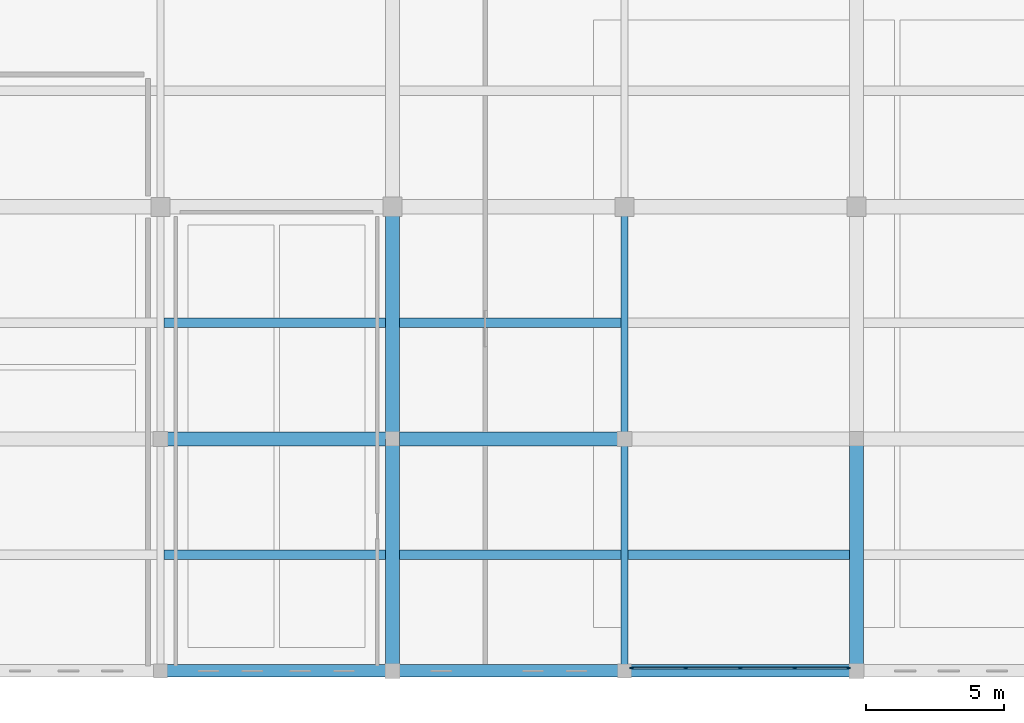
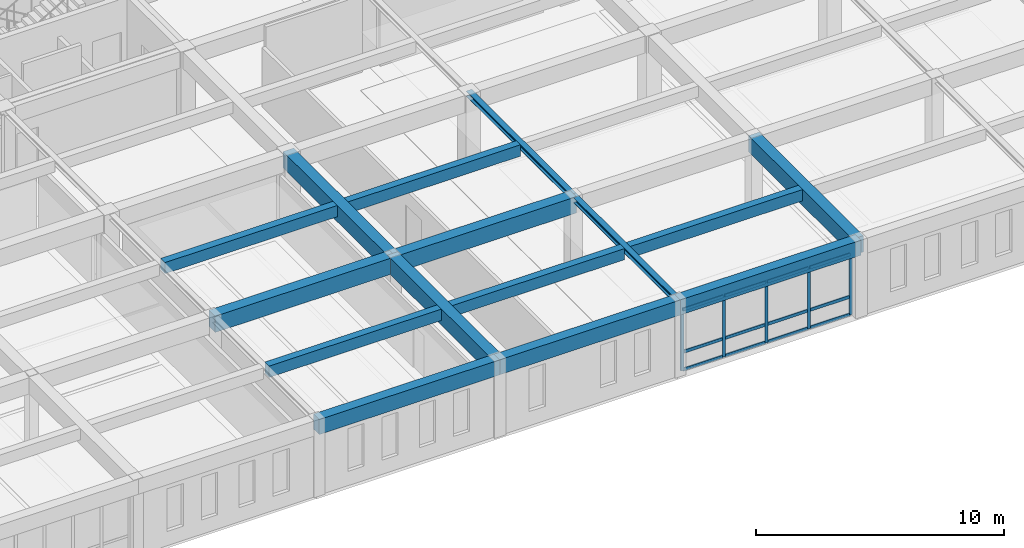
# One storey, part 44 of 110: 17 members, 15 beams, 1 element without a shape of its own.
"""IFC4 building model written with IfcOpenShell, lengths in metres."""

import ifcopenshell
import ifcopenshell.guid

model = None  # the IFC model being written
_history = None  # IfcOwnerHistory: only IFC2X3 demands one
_inside = {}  # id of a spatial element -> (the spatial element, [elements in it])
_under = {}  # id of a project, library or spatial element -> (it, [spatial elements below it])
_declared = {}  # id of a project -> (the project, [libraries it declares])
_typed = {}  # id of a type object -> (the type object, [elements of that type])
_made_of = {}  # id of a material, layer set ... -> (it, [elements and type objects made of it])


def new_model(schema):
    """Start an empty IFC model of exactly this schema.

    Asked for "IFC4X3", IfcOpenShell would pick the latest addendum, in which some entities
    have other attributes; the version numbers below select the first issue.
    IFC2X3 requires an IfcOwnerHistory on every rooted entity: one is made here for all.
    """
    global model, _history
    if schema == "IFC4X3":
        model = ifcopenshell.file(schema_version=(4, 3, 0, 0))
    else:
        model = ifcopenshell.file(schema=schema)
    _inside.clear()
    _under.clear()
    _declared.clear()
    _typed.clear()
    _made_of.clear()
    _history = None
    if model.schema == "IFC2X3":
        org = make("IfcOrganization", Name="unknown")
        user = make(
            "IfcPersonAndOrganization",
            ThePerson=make("IfcPerson", FamilyName="unknown"),
            TheOrganization=org,
        )
        app = make(
            "IfcApplication",
            ApplicationDeveloper=org,
            Version="unknown",
            ApplicationFullName="unknown",
            ApplicationIdentifier="unknown",
        )
        _history = make(
            "IfcOwnerHistory",
            OwningUser=user,
            OwningApplication=app,
            ChangeAction="ADDED",
            CreationDate=0,
        )
    return model


def make(cls, **values):
    """One entity of the class cls with the attributes given. An attribute that is None is left unset."""
    return model.create_entity(
        cls, **{name: value for name, value in values.items() if value is not None}
    )


def rooted(cls, **values):
    """An entity with a GlobalId (a new one), such as an element, a storey or a relation."""
    return make(cls, GlobalId=ifcopenshell.guid.new(), OwnerHistory=_history, **values)


def si_unit(unit_type, name, prefix=None):
    """IfcSIUnit, for example si_unit("LENGTHUNIT", "METRE", prefix="MILLI")."""
    return make("IfcSIUnit", UnitType=unit_type, Prefix=prefix, Name=name)


def assignment(units):
    """IfcUnitAssignment: the units of a project."""
    return None if units is None else make("IfcUnitAssignment", Units=units)


def point(xyz):
    """IfcCartesianPoint."""
    return None if xyz is None else make("IfcCartesianPoint", Coordinates=xyz)


def direction(xyz):
    """IfcDirection."""
    return None if xyz is None else make("IfcDirection", DirectionRatios=xyz)


def frame(location, z_axis=None, x_axis=None):
    """IfcAxis2Placement3D, a coordinate frame: its origin and axes. An axis left out is left unset."""
    return make(
        "IfcAxis2Placement3D",
        Location=point(location),
        Axis=direction(z_axis),
        RefDirection=direction(x_axis),
    )


def frame_2d(location, x_axis=None):
    """IfcAxis2Placement2D, a coordinate frame in the plane: its origin and x axis."""
    return make(
        "IfcAxis2Placement2D", Location=point(location), RefDirection=direction(x_axis)
    )


def origin():
    """The frame at (0, 0, 0) with its axes left unset."""
    return frame((0.0, 0.0, 0.0))


def origin_2d():
    """The frame at (0, 0) in the plane with its x axis left unset."""
    return frame_2d((0.0, 0.0))


def place(relative_to, where):
    """IfcLocalPlacement: puts the frame where relative to a parent placement (None: the world)."""
    return make(
        "IfcLocalPlacement", PlacementRelTo=relative_to, RelativePlacement=where
    )


def context(
    kind, dimensions, precision=None, world=None, true_north=None, identifier=None
):
    """IfcGeometricRepresentationContext, for example the 3D "Model" context."""
    return make(
        "IfcGeometricRepresentationContext",
        ContextIdentifier=identifier,
        ContextType=kind,
        CoordinateSpaceDimension=dimensions,
        Precision=precision,
        WorldCoordinateSystem=world,
        TrueNorth=true_north,
    )


def subcontext(parent, identifier, kind, view, scale=None):
    """IfcGeometricRepresentationSubContext, for example "Body" below "Model"."""
    return make(
        "IfcGeometricRepresentationSubContext",
        ContextIdentifier=identifier,
        ContextType=kind,
        ParentContext=parent,
        TargetScale=scale,
        TargetView=view,
    )


def project(units=None, contexts=None):
    """IfcProject with its units and contexts."""
    return rooted(
        "IfcProject",
        Name="project",
        RepresentationContexts=contexts,
        UnitsInContext=assignment(units),
    )


def spatial(cls, under=None, at=None, **own):
    """A site, building, storey or space (cls), placed at a placement, below another one or the project."""
    s = rooted(cls, ObjectPlacement=at, **own)
    if under is not None:
        _under.setdefault(under.id(), (under, []))[1].append(s)
    return s


def profile(cls, at=None, kind="AREA", **sizes):
    """A parametric profile (cls). Its sizes go by their IFC names, for example OverallWidth=200.0."""
    return make(cls, ProfileType=kind, Position=at, **sizes)


def rectangle(**sizes):
    """IfcRectangleProfileDef."""
    return profile("IfcRectangleProfileDef", **sizes)


def i_section(**sizes):
    """IfcIShapeProfileDef."""
    return profile("IfcIShapeProfileDef", **sizes)


def extrude(swept, where, along, depth):
    """IfcExtrudedAreaSolid: the profile swept, set in the frame where, extruded along a direction by depth."""
    return make(
        "IfcExtrudedAreaSolid",
        SweptArea=swept,
        Position=where,
        ExtrudedDirection=direction(along),
        Depth=depth,
    )


def shape(context_of_items, identifier, shape_type, items):
    """IfcShapeRepresentation: the items that make up one representation, for example the "Body"."""
    return make(
        "IfcShapeRepresentation",
        ContextOfItems=context_of_items,
        RepresentationIdentifier=identifier,
        RepresentationType=shape_type,
        Items=items,
    )


def material(Name=None, Category=None):
    """IfcMaterial."""
    return make("IfcMaterial", Name=Name, Category=Category)


def layer(
    of_material, thickness, ventilated=None, Name=None, Category=None, Priority=None
):
    """IfcMaterialLayer: one layer of a wall or slab, of a material (None: an air gap)."""
    return make(
        "IfcMaterialLayer",
        Material=of_material,
        LayerThickness=thickness,
        IsVentilated=ventilated,
        Name=Name,
        Category=Category,
        Priority=Priority,
    )


def layer_set(layers, Name=None):
    """IfcMaterialLayerSet."""
    return make("IfcMaterialLayerSet", MaterialLayers=layers, LayerSetName=Name)


def material_profile(
    of_material, cross_section, Name=None, Category=None, Priority=None
):
    """IfcMaterialProfile: a cross section and its material."""
    return make(
        "IfcMaterialProfile",
        Name=Name,
        Material=of_material,
        Profile=cross_section,
        Priority=Priority,
        Category=Category,
    )


def profile_set(profiles, Name=None, composite=None):
    """IfcMaterialProfileSet."""
    return make(
        "IfcMaterialProfileSet",
        Name=Name,
        MaterialProfiles=profiles,
        CompositeProfile=composite,
    )


def made_of(thing, what):
    """Note that an element or type object is made of a material, layer set ...; save() writes the relation."""
    if what is not None:
        _made_of.setdefault(what.id(), (what, []))[1].append(thing)
    return thing


def type_object(cls, material=None, **own):
    """A type object (cls), such as IfcWallType, which elements share."""
    return made_of(rooted(cls, **own), material)


def element(
    cls,
    number,
    at=None,
    inside=None,
    cuts=None,
    type_object=None,
    material=None,
    context=None,
    identifier="Body",
    shape_type=None,
    held_by="IfcProductDefinitionShape",
    body=None,
    shapes=None,
    **own,
):
    """One element of the class cls, such as IfcWall. Its Tag is "e" and its number.

    at: its placement. inside: the storey or other place that contains it. cuts: it is an
    opening in that element (IfcRelVoidsElement). A single representation is given by context,
    identifier, shape_type and body (its items); several are given by shapes. held_by: the class
    of the entity that holds the representations. save() writes the other relations.
    """
    e = rooted(cls, Tag="e%d" % number, ObjectPlacement=at, **own)
    if body is not None:
        shapes = [shape(context, identifier, shape_type, body)]
    if shapes is not None:
        e.Representation = make(held_by, Representations=shapes)
    if inside is not None:
        _inside.setdefault(inside.id(), (inside, []))[1].append(e)
    if cuts is not None:
        rooted(
            "IfcRelVoidsElement", RelatingBuildingElement=cuts, RelatedOpeningElement=e
        )
    if type_object is not None:
        _typed.setdefault(type_object.id(), (type_object, []))[1].append(e)
    return made_of(e, material)


def aggregate(whole, parts):
    """IfcRelAggregates: a whole, such as a stair, and the parts it consists of."""
    return rooted("IfcRelAggregates", RelatingObject=whole, RelatedObjects=parts)


def save(model, path):
    """Write the relations noted so far, then the file.

    IfcRelAggregates (storeys below a building ...), IfcRelContainedInSpatialStructure (elements
    in a storey), IfcRelDefinesByType, IfcRelAssociatesMaterial and IfcRelDeclares: one each for
    every whole, place, type object, material and project.
    """
    for whole, parts in _under.values():
        aggregate(whole, parts)
    for where, things in _inside.values():
        rooted(
            "IfcRelContainedInSpatialStructure",
            RelatedElements=things,
            RelatingStructure=where,
        )
    for kind, things in _typed.values():
        rooted("IfcRelDefinesByType", RelatedObjects=things, RelatingType=kind)
    for what, things in _made_of.values():
        rooted("IfcRelAssociatesMaterial", RelatedObjects=things, RelatingMaterial=what)
    for by, libraries in _declared.values():
        rooted("IfcRelDeclares", RelatingContext=by, RelatedDefinitions=libraries)
    model.write(path)


model = new_model("IFC4")

# Units and contexts
model_context = context("Model", 3, precision=1e-05, world=origin(), true_north=direction((0.0, 1.0)))
body_context = subcontext(model_context, "Body", "Model", "MODEL_VIEW")
ifc_project = project(units=[si_unit("LENGTHUNIT", "METRE"), si_unit("AREAUNIT", "SQUARE_METRE"), si_unit("VOLUMEUNIT", "CUBIC_METRE"), si_unit("PLANEANGLEUNIT", "RADIAN"), si_unit("MASSUNIT", "GRAM", prefix="KILO")], contexts=[model_context])

# Site, building, storey
site_placement = place(None, origin())
site = spatial("IfcSite", under=ifc_project, at=site_placement, CompositionType="ELEMENT")
building_placement = place(site_placement, origin())
building = spatial("IfcBuilding", under=site, at=building_placement, Name="Kveldsbrygga Polytechnic", CompositionType="ELEMENT")
storey_placement = place(building_placement, frame((0.0, 0.0, 9.860107421875)))
storey = spatial("IfcBuildingStorey", under=building, at=storey_placement, Name="L02", CompositionType="ELEMENT", Elevation=9.860107421875)

# Beams
ifc_material_1 = material(Name="Concrete C35/45", Category="concrete")
ifc_material_profile_1 = material_profile(ifc_material_1, rectangle(XDim=0.4599609375, YDim=0.739990234375, at=origin_2d()), Name="RC 460x740")
ifc_profile_set_1 = profile_set([ifc_material_profile_1], Name="Concrete C35/45")
beam_type_1 = type_object("IfcBeamType", Name="BM-RC-460x740", PredefinedType="BEAM", material=ifc_profile_set_1)
beam_1_placement = place(storey_placement, frame((126.0, 0.0, 3.3798828125), z_axis=(1.0, 0.0, 0.0), x_axis=(0.0, 1.0, 0.0)))
element("IfcBeam", 1, at=beam_1_placement, inside=storey, type_object=beam_type_1, Name="Primary Beam BMX-L02-15to16-00", PredefinedType="BEAM", context=body_context, shape_type="SweptSolid", body=[
    extrude(rectangle(XDim=0.4599609375, YDim=0.739990234375, at=origin_2d()), origin(), (0.0, 0.0, 1.0), 8.39990234375),
])
beam_2_placement = place(storey_placement, frame((134.39990234375, 0.0, 3.3798828125), z_axis=(1.0, 0.0, 0.0), x_axis=(0.0, 1.0, 0.0)))
element("IfcBeam", 2, at=beam_2_placement, inside=storey, type_object=beam_type_1, Name="Primary Beam BMX-L02-16to17-00", PredefinedType="BEAM", context=body_context, shape_type="SweptSolid", body=[
    extrude(rectangle(XDim=0.4599609375, YDim=0.739990234375, at=origin_2d()), origin(), (0.0, 0.0, 1.0), 8.400146484375),
])
beam_3_placement = place(storey_placement, frame((142.800048828125, 0.0, 3.3798828125), z_axis=(1.0, 0.0, 0.0), x_axis=(0.0, 1.0, 0.0)))
element("IfcBeam", 3, at=beam_3_placement, inside=storey, type_object=beam_type_1, Name="Primary Beam BMX-L02-17to18-00", PredefinedType="BEAM", context=body_context, shape_type="SweptSolid", body=[
    extrude(rectangle(XDim=0.4599609375, YDim=0.739990234375, at=origin_2d()), origin(), (0.0, 0.0, 1.0), 8.39990234375),
])
ifc_material_profile_2 = material_profile(ifc_material_1, rectangle(XDim=0.5, YDim=0.800048828125, at=origin_2d()), Name="RC 500x800")
ifc_profile_set_2 = profile_set([ifc_material_profile_2], Name="Concrete C35/45")
beam_type_2 = type_object("IfcBeamType", Name="BM-RC-500x800", PredefinedType="BEAM", material=ifc_profile_set_2)
beam_4_placement = place(storey_placement, frame((126.0, 8.39990234375, 3.349853515625), z_axis=(1.0, 0.0, 0.0), x_axis=(0.0, 1.0, 0.0)))
element("IfcBeam", 4, at=beam_4_placement, inside=storey, type_object=beam_type_2, Name="Primary Beam BMX-L02-15to16-01", PredefinedType="BEAM", context=body_context, shape_type="SweptSolid", body=[
    extrude(rectangle(XDim=0.5, YDim=0.800048828125, at=origin_2d()), origin(), (0.0, 0.0, 1.0), 8.39990234375),
])
beam_5_placement = place(storey_placement, frame((134.39990234375, 8.39990234375, 3.349853515625), z_axis=(1.0, 0.0, 0.0), x_axis=(0.0, 1.0, 0.0)))
element("IfcBeam", 5, at=beam_5_placement, inside=storey, type_object=beam_type_2, Name="Primary Beam BMX-L02-16to17-01", PredefinedType="BEAM", context=body_context, shape_type="SweptSolid", body=[
    extrude(rectangle(XDim=0.5, YDim=0.800048828125, at=origin_2d()), origin(), (0.0, 0.0, 1.0), 8.400146484375),
])
beam_6_placement = place(storey_placement, frame((134.39990234375, 0.0, 3.349853515625), z_axis=(0.0, 1.0, 0.0), x_axis=(-1.0, 0.0, 0.0)))
element("IfcBeam", 6, at=beam_6_placement, inside=storey, type_object=beam_type_2, Name="Primary Beam BMY-L02-16-00to01", PredefinedType="BEAM", context=body_context, shape_type="SweptSolid", body=[
    extrude(rectangle(XDim=0.5, YDim=0.800048828125, at=origin_2d()), origin(), (0.0, 0.0, 1.0), 8.39990234375),
])
beam_7_placement = place(storey_placement, frame((134.39990234375, 8.39990234375, 3.349853515625), z_axis=(0.0, 1.0, 0.0), x_axis=(-1.0, 0.0, 0.0)))
element("IfcBeam", 7, at=beam_7_placement, inside=storey, type_object=beam_type_2, Name="Primary Beam BMY-L02-16-01to02", PredefinedType="BEAM", context=body_context, shape_type="SweptSolid", body=[
    extrude(rectangle(XDim=0.5, YDim=0.800048828125, at=origin_2d()), origin(), (0.0, 0.0, 1.0), 8.400146484375),
])
beam_8_placement = place(storey_placement, frame((151.199951171875, 0.0, 3.349853515625), z_axis=(0.0, 1.0, 0.0), x_axis=(-1.0, 0.0, 0.0)))
element("IfcBeam", 8, at=beam_8_placement, inside=storey, type_object=beam_type_2, Name="Primary Beam BMY-L02-18-00to01", PredefinedType="BEAM", context=body_context, shape_type="SweptSolid", body=[
    extrude(rectangle(XDim=0.5, YDim=0.800048828125, at=origin_2d()), origin(), (0.0, 0.0, 1.0), 8.39990234375),
])
ifc_material_2 = material(Name="Steel S355", Category="steel")
ifc_material_profile_3 = material_profile(ifc_material_2, i_section(OverallWidth=0.260009765625, OverallDepth=0.260009765625, WebThickness=0.010009765625, FlangeThickness=0.017578125, FilletRadius=0.02392578125, at=origin_2d()), Name="HEB 260")
ifc_profile_set_3 = profile_set([ifc_material_profile_3], Name="Steel S355")
beam_type_3 = type_object("IfcBeamType", Name="BM-STL-HEB260", PredefinedType="BEAM", material=ifc_profile_set_3)
beam_9_placement = place(storey_placement, frame((142.800048828125, 0.0, 3.619873046875), z_axis=(0.0, 1.0, 0.0), x_axis=(-1.0, 0.0, 0.0)))
element("IfcBeam", 9, at=beam_9_placement, inside=storey, type_object=beam_type_3, Name="Primary Beam BMY-L02-17-00to01", PredefinedType="BEAM", context=body_context, shape_type="SweptSolid", body=[
    extrude(i_section(OverallWidth=0.260009765625, OverallDepth=0.260009765625, WebThickness=0.010009765625, FlangeThickness=0.017578125, FilletRadius=0.02392578125, at=origin_2d()), origin(), (0.0, 0.0, 1.0), 8.39990234375),
])
beam_10_placement = place(storey_placement, frame((142.800048828125, 8.39990234375, 3.619873046875), z_axis=(0.0, 1.0, 0.0), x_axis=(-1.0, 0.0, 0.0)))
element("IfcBeam", 10, at=beam_10_placement, inside=storey, type_object=beam_type_3, Name="Primary Beam BMY-L02-17-01to02", PredefinedType="BEAM", context=body_context, shape_type="SweptSolid", body=[
    extrude(i_section(OverallWidth=0.260009765625, OverallDepth=0.260009765625, WebThickness=0.010009765625, FlangeThickness=0.017578125, FilletRadius=0.02392578125, at=origin_2d()), origin(), (0.0, 0.0, 1.0), 8.400146484375),
])

# Curtain wall, members
ifc_material_3 = material(Name="Anodised aluminium AW-6060", Category="aluminium")
ifc_layer = layer(ifc_material_3, 0.199951171875)
ifc_layer_set = layer_set([ifc_layer], Name="Anodised aluminium AW-6060")
curtain_wall_type = type_object("IfcCurtainWallType", Name="CW-LANC-E", PredefinedType="USERDEFINED", material=ifc_layer_set)
curtain_wall_placement = place(storey_placement, origin())
curtain_wall = element("IfcCurtainWall", 11, at=curtain_wall_placement, inside=storey, type_object=curtain_wall_type, Name="Curtain Wall CW-L02-X-17-00", ObjectType="UNITISED CURTAIN WALL", PredefinedType="USERDEFINED")
ifc_material_profile_4 = material_profile(ifc_material_3, rectangle(XDim=0.06005859375, YDim=0.139892578125, at=origin_2d()), Name="ALU 60x140")
ifc_profile_set_4 = profile_set([ifc_material_profile_4], Name="Anodised aluminium AW-6060")
member_type_1 = type_object("IfcMemberType", Name="CW-MUL-140", PredefinedType="MULLION", material=ifc_profile_set_4)
member_1_placement = place(storey_placement, frame((143.06494140625, 0.10009765625, 0.0), z_axis=(0.0, 0.0, 1.0), x_axis=(0.0, 1.0, 0.0)))
member_1 = element("IfcMember", 12, at=member_1_placement, type_object=member_type_1, Name="CW-05 mullion 1", PredefinedType="MULLION", context=body_context, shape_type="SweptSolid", body=[
    extrude(rectangle(XDim=0.06005859375, YDim=0.139892578125, at=origin_2d()), origin(), (0.0, 0.0, 1.0), 3.010009765625),
])
member_2_placement = place(storey_placement, frame((145.01123046875, 0.10009765625, 0.0), z_axis=(0.0, 0.0, 1.0), x_axis=(0.0, 1.0, 0.0)))
member_2 = element("IfcMember", 13, at=member_2_placement, type_object=member_type_1, Name="CW-05 mullion 2", PredefinedType="MULLION", context=body_context, shape_type="SweptSolid", body=[
    extrude(rectangle(XDim=0.06005859375, YDim=0.139892578125, at=origin_2d()), origin(), (0.0, 0.0, 1.0), 3.010009765625),
])
member_3_placement = place(storey_placement, frame((146.987548828125, 0.10009765625, 0.0), z_axis=(0.0, 0.0, 1.0), x_axis=(0.0, 1.0, 0.0)))
member_3 = element("IfcMember", 14, at=member_3_placement, type_object=member_type_1, Name="CW-05 mullion 3", PredefinedType="MULLION", context=body_context, shape_type="SweptSolid", body=[
    extrude(rectangle(XDim=0.06005859375, YDim=0.139892578125, at=origin_2d()), origin(), (0.0, 0.0, 1.0), 3.010009765625),
])
member_4_placement = place(storey_placement, frame((148.9638671875, 0.10009765625, 0.0), z_axis=(0.0, 0.0, 1.0), x_axis=(0.0, 1.0, 0.0)))
member_4 = element("IfcMember", 15, at=member_4_placement, type_object=member_type_1, Name="CW-05 mullion 4", PredefinedType="MULLION", context=body_context, shape_type="SweptSolid", body=[
    extrude(rectangle(XDim=0.06005859375, YDim=0.139892578125, at=origin_2d()), origin(), (0.0, 0.0, 1.0), 3.010009765625),
])
member_5_placement = place(storey_placement, frame((150.909912109375, 0.10009765625, 0.0), z_axis=(0.0, 0.0, 1.0), x_axis=(0.0, 1.0, 0.0)))
member_5 = element("IfcMember", 16, at=member_5_placement, type_object=member_type_1, Name="CW-05 mullion 5", PredefinedType="MULLION", context=body_context, shape_type="SweptSolid", body=[
    extrude(rectangle(XDim=0.06005859375, YDim=0.139892578125, at=origin_2d()), origin(), (0.0, 0.0, 1.0), 3.010009765625),
])
ifc_material_profile_5 = material_profile(ifc_material_3, rectangle(XDim=0.06005859375, YDim=0.14990234375, at=origin_2d()), Name="ALU 60x150")
ifc_profile_set_5 = profile_set([ifc_material_profile_5], Name="Anodised aluminium AW-6060")
member_type_2 = type_object("IfcMemberType", Name="CW-TRN-150", PredefinedType="USERDEFINED", material=ifc_profile_set_5)
member_6_placement = place(storey_placement, frame((143.094970703125, 0.10009765625, 0.02978515625), z_axis=(1.0, 0.0, 0.0), x_axis=(0.0, 1.0, 0.0)))
member_6 = element("IfcMember", 17, at=member_6_placement, type_object=member_type_2, Name="CW-05 transom 1.1", ObjectType="TRANSOM", PredefinedType="USERDEFINED", context=body_context, shape_type="SweptSolid", body=[
    extrude(rectangle(XDim=0.06005859375, YDim=0.14990234375, at=origin_2d()), origin(), (0.0, 0.0, 1.0), 1.88623046875),
])
member_7_placement = place(storey_placement, frame((143.094970703125, 0.10009765625, 0.89990234375), z_axis=(1.0, 0.0, 0.0), x_axis=(0.0, 1.0, 0.0)))
member_7 = element("IfcMember", 18, at=member_7_placement, type_object=member_type_2, Name="CW-05 transom 1.2", ObjectType="TRANSOM", PredefinedType="USERDEFINED", context=body_context, shape_type="SweptSolid", body=[
    extrude(rectangle(XDim=0.06005859375, YDim=0.14990234375, at=origin_2d()), origin(), (0.0, 0.0, 1.0), 1.88623046875),
])
member_8_placement = place(storey_placement, frame((143.094970703125, 0.10009765625, 2.97998046875), z_axis=(1.0, 0.0, 0.0), x_axis=(0.0, 1.0, 0.0)))
member_8 = element("IfcMember", 19, at=member_8_placement, type_object=member_type_2, Name="CW-05 transom 1.3", ObjectType="TRANSOM", PredefinedType="USERDEFINED", context=body_context, shape_type="SweptSolid", body=[
    extrude(rectangle(XDim=0.06005859375, YDim=0.14990234375, at=origin_2d()), origin(), (0.0, 0.0, 1.0), 1.88623046875),
])
member_9_placement = place(storey_placement, frame((145.041259765625, 0.10009765625, 0.02978515625), z_axis=(1.0, 0.0, 0.0), x_axis=(0.0, 1.0, 0.0)))
member_9 = element("IfcMember", 20, at=member_9_placement, type_object=member_type_2, Name="CW-05 transom 2.1", ObjectType="TRANSOM", PredefinedType="USERDEFINED", context=body_context, shape_type="SweptSolid", body=[
    extrude(rectangle(XDim=0.06005859375, YDim=0.14990234375, at=origin_2d()), origin(), (0.0, 0.0, 1.0), 1.916259765625),
])
member_10_placement = place(storey_placement, frame((145.041259765625, 0.10009765625, 0.89990234375), z_axis=(1.0, 0.0, 0.0), x_axis=(0.0, 1.0, 0.0)))
member_10 = element("IfcMember", 21, at=member_10_placement, type_object=member_type_2, Name="CW-05 transom 2.2", ObjectType="TRANSOM", PredefinedType="USERDEFINED", context=body_context, shape_type="SweptSolid", body=[
    extrude(rectangle(XDim=0.06005859375, YDim=0.14990234375, at=origin_2d()), origin(), (0.0, 0.0, 1.0), 1.916259765625),
])
member_11_placement = place(storey_placement, frame((145.041259765625, 0.10009765625, 2.97998046875), z_axis=(1.0, 0.0, 0.0), x_axis=(0.0, 1.0, 0.0)))
member_11 = element("IfcMember", 22, at=member_11_placement, type_object=member_type_2, Name="CW-05 transom 2.3", ObjectType="TRANSOM", PredefinedType="USERDEFINED", context=body_context, shape_type="SweptSolid", body=[
    extrude(rectangle(XDim=0.06005859375, YDim=0.14990234375, at=origin_2d()), origin(), (0.0, 0.0, 1.0), 1.916259765625),
])
member_12_placement = place(storey_placement, frame((147.017578125, 0.10009765625, 0.02978515625), z_axis=(1.0, 0.0, 0.0), x_axis=(0.0, 1.0, 0.0)))
member_12 = element("IfcMember", 23, at=member_12_placement, type_object=member_type_2, Name="CW-05 transom 3.1", ObjectType="TRANSOM", PredefinedType="USERDEFINED", context=body_context, shape_type="SweptSolid", body=[
    extrude(rectangle(XDim=0.06005859375, YDim=0.14990234375, at=origin_2d()), origin(), (0.0, 0.0, 1.0), 1.916259765625),
])
member_13_placement = place(storey_placement, frame((147.017578125, 0.10009765625, 0.89990234375), z_axis=(1.0, 0.0, 0.0), x_axis=(0.0, 1.0, 0.0)))
member_13 = element("IfcMember", 24, at=member_13_placement, type_object=member_type_2, Name="CW-05 transom 3.2", ObjectType="TRANSOM", PredefinedType="USERDEFINED", context=body_context, shape_type="SweptSolid", body=[
    extrude(rectangle(XDim=0.06005859375, YDim=0.14990234375, at=origin_2d()), origin(), (0.0, 0.0, 1.0), 1.916259765625),
])
member_14_placement = place(storey_placement, frame((147.017578125, 0.10009765625, 2.97998046875), z_axis=(1.0, 0.0, 0.0), x_axis=(0.0, 1.0, 0.0)))
member_14 = element("IfcMember", 25, at=member_14_placement, type_object=member_type_2, Name="CW-05 transom 3.3", ObjectType="TRANSOM", PredefinedType="USERDEFINED", context=body_context, shape_type="SweptSolid", body=[
    extrude(rectangle(XDim=0.06005859375, YDim=0.14990234375, at=origin_2d()), origin(), (0.0, 0.0, 1.0), 1.916259765625),
])
member_15_placement = place(storey_placement, frame((148.99365234375, 0.10009765625, 0.02978515625), z_axis=(1.0, 0.0, 0.0), x_axis=(0.0, 1.0, 0.0)))
member_15 = element("IfcMember", 26, at=member_15_placement, type_object=member_type_2, Name="CW-05 transom 4.1", ObjectType="TRANSOM", PredefinedType="USERDEFINED", context=body_context, shape_type="SweptSolid", body=[
    extrude(rectangle(XDim=0.06005859375, YDim=0.14990234375, at=origin_2d()), origin(), (0.0, 0.0, 1.0), 1.88623046875),
])
member_16_placement = place(storey_placement, frame((148.99365234375, 0.10009765625, 0.89990234375), z_axis=(1.0, 0.0, 0.0), x_axis=(0.0, 1.0, 0.0)))
member_16 = element("IfcMember", 27, at=member_16_placement, type_object=member_type_2, Name="CW-05 transom 4.2", ObjectType="TRANSOM", PredefinedType="USERDEFINED", context=body_context, shape_type="SweptSolid", body=[
    extrude(rectangle(XDim=0.06005859375, YDim=0.14990234375, at=origin_2d()), origin(), (0.0, 0.0, 1.0), 1.88623046875),
])
member_17_placement = place(storey_placement, frame((148.99365234375, 0.10009765625, 2.97998046875), z_axis=(1.0, 0.0, 0.0), x_axis=(0.0, 1.0, 0.0)))
member_17 = element("IfcMember", 28, at=member_17_placement, type_object=member_type_2, Name="CW-05 transom 4.3", ObjectType="TRANSOM", PredefinedType="USERDEFINED", context=body_context, shape_type="SweptSolid", body=[
    extrude(rectangle(XDim=0.06005859375, YDim=0.14990234375, at=origin_2d()), origin(), (0.0, 0.0, 1.0), 1.88623046875),
])
aggregate(curtain_wall, [member_1, member_2, member_3, member_4, member_5, member_6, member_7, member_8, member_9, member_10, member_11, member_12, member_13, member_14, member_15, member_16, member_17])

# Beams
ifc_material_profile_6 = material_profile(ifc_material_1, rectangle(XDim=0.340087890625, YDim=0.56005859375, at=origin_2d()), Name="RC 340x560")
ifc_profile_set_6 = profile_set([ifc_material_profile_6], Name="Concrete C35/45")
beam_type_4 = type_object("IfcBeamType", Name="JST-RC-340x560", PredefinedType="JOIST", material=ifc_profile_set_6)
for number, where, z_axis, x_axis, name in (
    (29, (126.1298828125, 4.199951171875, 3.469970703125), (1.0, 0.0, 0.0), (0.0, 1.0, 0.0), "Secondary Joist JST-L02-15-00"),
    (30, (134.64990234375, 12.60009765625, 3.469970703125), (1.0, 0.0, 0.0), (0.0, 1.0, 0.0), "Secondary Joist JST-L02-16-01"),
    (31, (142.929931640625, 4.199951171875, 3.469970703125), (1.0, 0.0, 0.0), (0.0, 1.0, 0.0), "Secondary Joist JST-L02-17-00"),
):
    element("IfcBeam", number, at=place(storey_placement, frame(where, z_axis=z_axis, x_axis=x_axis)), inside=storey, type_object=beam_type_4, Name=name, PredefinedType="JOIST", context=body_context, shape_type="SweptSolid", body=[
        extrude(rectangle(XDim=0.340087890625, YDim=0.56005859375, at=origin_2d()), origin(), (0.0, 0.0, 1.0), 8.02001953125),
    ])
ifc_material_profile_7 = material_profile(ifc_material_1, rectangle(XDim=0.35009765625, YDim=0.550048828125, at=origin_2d()), Name="RC 350x550")
ifc_profile_set_7 = profile_set([ifc_material_profile_7], Name="Concrete C35/45")
beam_type_5 = type_object("IfcBeamType", Name="JST-RC-350x550", PredefinedType="JOIST", material=ifc_profile_set_7)
for number, where, z_axis, x_axis, name in (
    (32, (126.1298828125, 12.60009765625, 3.474853515625), (1.0, 0.0, 0.0), (0.0, 1.0, 0.0), "Secondary Joist JST-L02-15-01"),
    (33, (134.64990234375, 4.199951171875, 3.474853515625), (1.0, 0.0, 0.0), (0.0, 1.0, 0.0), "Secondary Joist JST-L02-16-00"),
):
    element("IfcBeam", number, at=place(storey_placement, frame(where, z_axis=z_axis, x_axis=x_axis)), inside=storey, type_object=beam_type_5, Name=name, PredefinedType="JOIST", context=body_context, shape_type="SweptSolid", body=[
        extrude(rectangle(XDim=0.35009765625, YDim=0.550048828125, at=origin_2d()), origin(), (0.0, 0.0, 1.0), 8.02001953125),
    ])

save(model, "model.ifc")
